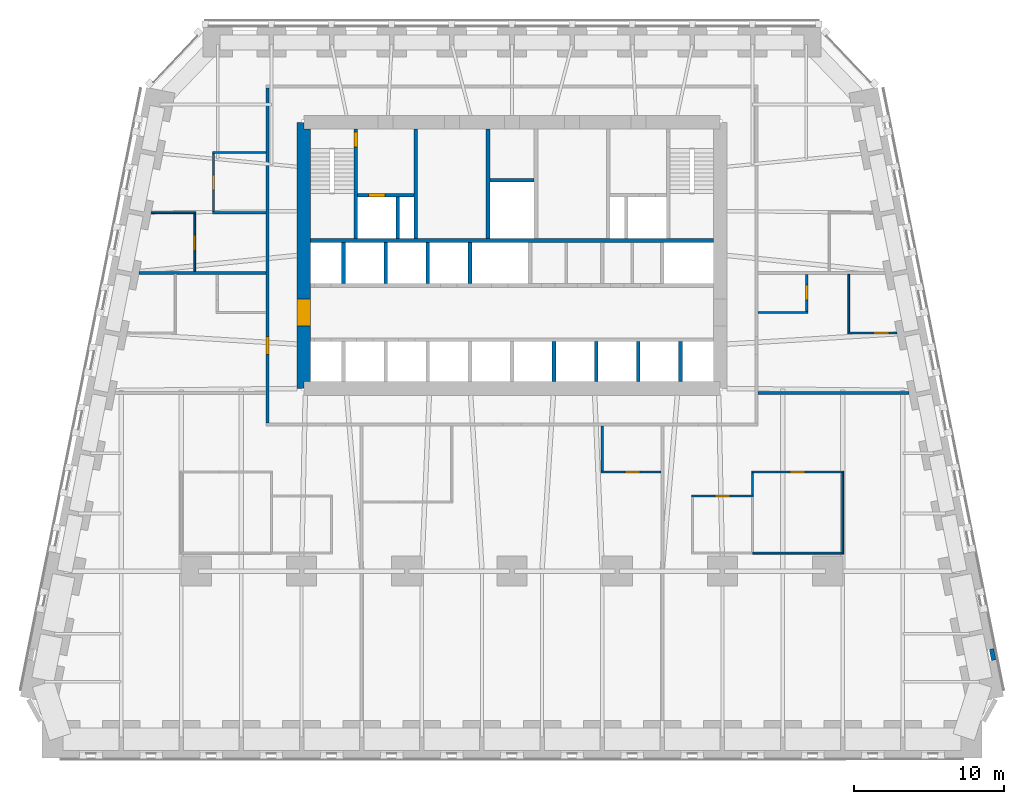
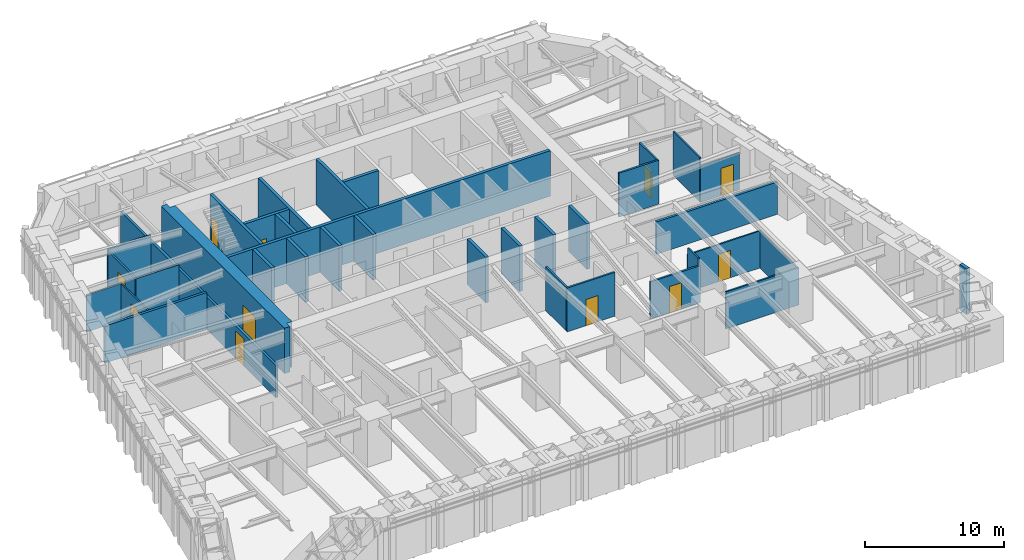
# One storey, part 13 of 16: 36 walls, 11 doors, 11 openings.
"""IFC4 building model written with IfcOpenShell, lengths in metres."""

from ifc_helpers import new_model, si_unit, direction, frame, frame_2d, origin, place, context, subcontext, project, spatial, polyline, rectangle, outline, extrude, material, layer, layer_set, type_object, element, fill, save


model = new_model("IFC4")

# Units and contexts
model_context = context("Model", 3, precision=1e-05, world=origin(), true_north=direction((0.0, 1.0)))
body_context = subcontext(model_context, "Body", "Model", "MODEL_VIEW")
ifc_project = project(units=[si_unit("LENGTHUNIT", "METRE"), si_unit("AREAUNIT", "SQUARE_METRE"), si_unit("VOLUMEUNIT", "CUBIC_METRE"), si_unit("PLANEANGLEUNIT", "RADIAN"), si_unit("MASSUNIT", "GRAM", prefix="KILO")], contexts=[model_context])

# Site, building, storey
site_placement = place(None, origin())
site = spatial("IfcSite", under=ifc_project, at=site_placement, CompositionType="ELEMENT")
building_placement = place(site_placement, origin())
building = spatial("IfcBuilding", under=site, at=building_placement, Name="Isbrekke Arena Tower", CompositionType="ELEMENT")
storey_placement = place(building_placement, frame((0.0, 0.0, 36.0)))
storey = spatial("IfcBuildingStorey", under=building, at=storey_placement, Name="L06", CompositionType="ELEMENT", Elevation=36.0)

# Wall, opening, door
ifc_material_1 = material(Name="Concrete B65 (C65/80)", Category="concrete")
ifc_layer_1 = layer(ifc_material_1, 0.89990234375)
ifc_layer_set_1 = layer_set([ifc_layer_1], Name="CW2 CORE WALL 900")
wall_type_1 = type_object("IfcWallType", Name="CW2 CORE WALL 900", PredefinedType="SHEAR", material=ifc_layer_set_1)
wall_1_placement = place(storey_placement, frame((-13.85009765625, 23.85009765625, 0.0), z_axis=(0.0, 0.0, 1.0), x_axis=(0.0, -1.0, 0.0)))
wall_1 = element("IfcWall", 1, at=wall_1_placement, inside=storey, type_object=wall_type_1, Name="Core wall W L06", PredefinedType="SHEAR", context=body_context, shape_type="SweptSolid", body=[
    extrude(outline(polyline([(0.0, -0.449951171875), (17.7001953125, -0.449951171875), (17.7001953125, 0.0), (17.250244140625, 0.0), (17.250244140625, 0.449951171875), (0.449951171875, 0.449951171875), (0.449951171875, 0.0), (0.0, 0.0), (0.0, -0.449951171875)])), origin(), (0.0, 0.0, 1.0), 4.0),
])
opening_1_placement = place(wall_1_placement, frame((11.75, 0.0, 0.0)))
opening_1 = element("IfcOpeningElement", 2, at=opening_1_placement, cuts=wall_1, Name="Opening D1", PredefinedType="OPENING", context=body_context, shape_type="SweptSolid", body=[
    extrude(rectangle(XDim=1.800048828125, YDim=2.39990234375, at=frame_2d((0.89990234375, 1.199951171875))), frame((0.0, 0.46484375, 0.0), z_axis=(0.0, -1.0, 0.0), x_axis=(1.0, 0.0, 0.0)), (0.0, 0.0, 1.0), 0.9296875),
])
ifc_material_2 = material(Name="Steel-framed glazed fire door", Category="steel")
door_type_1 = type_object("IfcDoorType", Name="D1 CORE LOBBY DOOR 1800 x 2400", OperationType="DOUBLE_DOOR_SINGLE_SWING", PredefinedType="DOOR", material=ifc_material_2)
door_1_placement = place(opening_1_placement, origin())
door_1 = element("IfcDoor", 3, at=door_1_placement, inside=storey, type_object=door_type_1, Name="D1 lift lobby door west L06", OperationType="DOUBLE_DOOR_SINGLE_SWING", OverallHeight=2.39990234375, OverallWidth=1.800048828125, PredefinedType="DOOR", context=body_context, shape_type="SweptSolid", body=[
    extrude(rectangle(XDim=1.800048828125, YDim=2.39990234375, at=frame_2d((0.89990234375, 1.199951171875))), frame((0.0, 0.44970703125, 0.0), z_axis=(0.0, -1.0, 0.0), x_axis=(1.0, 0.0, 0.0)), (0.0, 0.0, 1.0), 0.8994140625),
])
fill(opening_1, door_1)

# Walls
ifc_material_3 = material(Name="Concrete B45 (C45/55)", Category="concrete")
ifc_layer_2 = layer(ifc_material_3, 0.25)
ifc_layer_set_2 = layer_set([ifc_layer_2], Name="CW6 SHAFT WALL 250")
wall_type_2 = type_object("IfcWallType", Name="CW6 SHAFT WALL 250", PredefinedType="SHEAR", material=ifc_layer_set_2)
wall_2_placement = place(storey_placement, frame((-13.39990234375, 16.0, 0.0), z_axis=(0.0, 0.0, 1.0), x_axis=(1.0, 0.0, 0.0)))
element("IfcWall", 4, at=wall_2_placement, inside=storey, type_object=wall_type_2, Name="Core wall NB L06", PredefinedType="SHEAR", context=body_context, shape_type="SweptSolid", body=[
    extrude(rectangle(XDim=26.7998046875, YDim=0.25, at=frame_2d((13.39990234375, 0.0))), origin(), (0.0, 0.0, 1.0), 4.0),
])
for number, where, z_axis, x_axis, name in (
    (5, (2.800048828125, 6.60009765625, 0.0), (0.0, 0.0, 1.0), (0.0, 1.0, 0.0), "Core wall SS06 L06"),
    (6, (5.60009765625, 6.60009765625, 0.0), (0.0, 0.0, 1.0), (0.0, 1.0, 0.0), "Core wall SS07 L06"),
    (7, (8.39990234375, 6.60009765625, 0.0), (0.0, 0.0, 1.0), (0.0, 1.0, 0.0), "Core wall SS08 L06"),
    (8, (11.199951171875, 6.60009765625, 0.0), (0.0, 0.0, 1.0), (0.0, 1.0, 0.0), "Core wall SS09 L06"),
):
    element("IfcWall", number, at=place(storey_placement, frame(where, z_axis=z_axis, x_axis=x_axis)), inside=storey, type_object=wall_type_2, Name=name, PredefinedType="SHEAR", context=body_context, shape_type="SweptSolid", body=[
        extrude(rectangle(XDim=2.6748046875, YDim=0.25, at=frame_2d((1.33740234375, 0.0))), origin(), (0.0, 0.0, 1.0), 4.0),
    ])
for number, where, z_axis, x_axis, name in (
    (9, (-11.199951171875, 13.125, 0.0), (0.0, 0.0, 1.0), (0.0, 1.0, 0.0), "Core wall SN01 L06"),
    (10, (-8.39990234375, 13.125, 0.0), (0.0, 0.0, 1.0), (0.0, 1.0, 0.0), "Core wall SN02 L06"),
    (11, (-5.60009765625, 13.125, 0.0), (0.0, 0.0, 1.0), (0.0, 1.0, 0.0), "Core wall SN03 L06"),
    (12, (-2.800048828125, 13.125, 0.0), (0.0, 0.0, 1.0), (0.0, 1.0, 0.0), "Core wall SN04 L06"),
):
    element("IfcWall", number, at=place(storey_placement, frame(where, z_axis=z_axis, x_axis=x_axis)), inside=storey, type_object=wall_type_2, Name=name, PredefinedType="SHEAR", context=body_context, shape_type="SweptSolid", body=[
        extrude(rectangle(XDim=2.75, YDim=0.25, at=frame_2d((1.375, 0.0))), origin(), (0.0, 0.0, 1.0), 4.0),
    ])

# Wall, opening, door
wall_3_placement = place(storey_placement, frame((-10.39990234375, 16.125, 0.0), z_axis=(0.0, 0.0, 1.0), x_axis=(0.0, 1.0, 0.0)))
wall_3 = element("IfcWall", 13, at=wall_3_placement, inside=storey, type_object=wall_type_2, Name="Core wall NV01 L06", PredefinedType="SHEAR", context=body_context, shape_type="SweptSolid", body=[
    extrude(rectangle(XDim=7.27490234375, YDim=0.25, at=frame_2d((3.637451171875, 0.0))), origin(), (0.0, 0.0, 1.0), 4.0),
])
opening_2_placement = place(wall_3_placement, frame((6.074951171875, 0.0, 0.0)))
opening_2 = element("IfcOpeningElement", 14, at=opening_2_placement, cuts=wall_3, Name="Opening D2", PredefinedType="OPENING", context=body_context, shape_type="SweptSolid", body=[
    extrude(rectangle(XDim=1.0, YDim=2.10009765625, at=frame_2d((0.5, 1.050048828125))), frame((0.0, 0.139892578125, 0.0), z_axis=(0.0, -1.0, 0.0), x_axis=(1.0, 0.0, 0.0)), (0.0, 0.0, 1.0), 0.27978515625),
])
ifc_material_4 = material(Name="Steel fire door", Category="steel")
door_type_2 = type_object("IfcDoorType", Name="D2 STAIR DOOR 1000 x 2100", OperationType="SINGLE_SWING_LEFT", PredefinedType="DOOR", material=ifc_material_4)
door_2_placement = place(opening_2_placement, origin())
door_2 = element("IfcDoor", 15, at=door_2_placement, inside=storey, type_object=door_type_2, Name="D2 stair door ST1 L06", OperationType="SINGLE_SWING_LEFT", OverallHeight=2.10009765625, OverallWidth=1.0, PredefinedType="DOOR", context=body_context, shape_type="SweptSolid", body=[
    extrude(rectangle(XDim=1.0, YDim=2.10009765625, at=frame_2d((0.5, 1.050048828125))), frame((0.0, 0.124755859375, 0.0), z_axis=(0.0, -1.0, 0.0), x_axis=(1.0, 0.0, 0.0)), (0.0, 0.0, 1.0), 0.24951171875),
])
fill(opening_2, door_2)

# Walls
for number, where, z_axis, x_axis, name in (
    (16, (-6.39990234375, 16.125, 0.0), (0.0, 0.0, 1.0), (0.0, 1.0, 0.0), "Core wall NV02 L06"),
    (17, (-1.60009765625, 16.125, 0.0), (0.0, 0.0, 1.0), (0.0, 1.0, 0.0), "Core wall NV03 L06"),
):
    element("IfcWall", number, at=place(storey_placement, frame(where, z_axis=z_axis, x_axis=x_axis)), inside=storey, type_object=wall_type_2, Name=name, PredefinedType="SHEAR", context=body_context, shape_type="SweptSolid", body=[
        extrude(rectangle(XDim=7.27490234375, YDim=0.25, at=frame_2d((3.637451171875, 0.0))), origin(), (0.0, 0.0, 1.0), 4.0),
    ])

# Wall, opening, door
wall_4_placement = place(storey_placement, frame((-10.27490234375, 19.0, 0.0), z_axis=(0.0, 0.0, 1.0), x_axis=(1.0, 0.0, 0.0)))
wall_4 = element("IfcWall", 18, at=wall_4_placement, inside=storey, type_object=wall_type_2, Name="Core wall NFW L06", PredefinedType="SHEAR", context=body_context, shape_type="SweptSolid", body=[
    extrude(rectangle(XDim=3.75, YDim=0.25, at=frame_2d((1.875, 0.0))), origin(), (0.0, 0.0, 1.0), 4.0),
])
opening_3_placement = place(wall_4_placement, frame((0.72509765625, 0.0, 0.0)))
opening_3 = element("IfcOpeningElement", 19, at=opening_3_placement, cuts=wall_4, Name="Opening LD2", PredefinedType="OPENING", context=body_context, shape_type="SweptSolid", body=[
    extrude(rectangle(XDim=1.10009765625, YDim=2.10009765625, at=frame_2d((0.550048828125, 1.050048828125))), frame((0.0, 0.139892578125, 0.0), z_axis=(0.0, -1.0, 0.0), x_axis=(1.0, 0.0, 0.0)), (0.0, 0.0, 1.0), 0.27978515625),
])
ifc_material_5 = material(Name="Stainless steel lift landing door", Category="steel")
door_type_3 = type_object("IfcDoorType", Name="LD2 FIRE-FIGHTING LIFT LANDING DOOR 1100 x 2100", OperationType="SLIDING_TO_RIGHT", PredefinedType="DOOR", material=ifc_material_5)
door_3_placement = place(opening_3_placement, origin())
door_3 = element("IfcDoor", 20, at=door_3_placement, inside=storey, type_object=door_type_3, Name="LD2 lift landing door LF L06", OperationType="SLIDING_TO_RIGHT", OverallHeight=2.10009765625, OverallWidth=1.10009765625, PredefinedType="DOOR", context=body_context, shape_type="SweptSolid", body=[
    extrude(rectangle(XDim=1.10009765625, YDim=2.10009765625, at=frame_2d((0.550048828125, 1.050048828125))), frame((0.0, 0.124755859375, 0.0), z_axis=(0.0, -1.0, 0.0), x_axis=(1.0, 0.0, 0.0)), (0.0, 0.0, 1.0), 0.24951171875),
])
fill(opening_3, door_3)

# Walls
wall_5_placement = place(storey_placement, frame((-7.60009765625, 16.125, 0.0), z_axis=(0.0, 0.0, 1.0), x_axis=(0.0, 1.0, 0.0)))
element("IfcWall", 21, at=wall_5_placement, inside=storey, type_object=wall_type_2, Name="Core wall NFS1 L06", PredefinedType="SHEAR", context=body_context, shape_type="SweptSolid", body=[
    extrude(rectangle(XDim=2.75, YDim=0.25, at=frame_2d((1.375, 0.0))), origin(), (0.0, 0.0, 1.0), 4.0),
])
wall_6_placement = place(storey_placement, frame((-1.47509765625, 20.0, 0.0), z_axis=(0.0, 0.0, 1.0), x_axis=(1.0, 0.0, 0.0)))
element("IfcWall", 22, at=wall_6_placement, inside=storey, type_object=wall_type_2, Name="Core wall NWC L06", PredefinedType="SHEAR", context=body_context, shape_type="SweptSolid", body=[
    extrude(rectangle(XDim=2.9501953125, YDim=0.25, at=frame_2d((1.47509765625, 0.0))), origin(), (0.0, 0.0, 1.0), 4.0),
])
ifc_material_6 = material(Name="Insulated aluminium panel on steel framing", Category="steel")
ifc_layer_3 = layer(ifc_material_6, 0.300048828125)
ifc_layer_set_3 = layer_set([ifc_layer_3], Name="EW4 INSULATED PANEL WALL 300")
wall_type_3 = type_object("IfcWallType", Name="EW4 INSULATED PANEL WALL 300", PredefinedType="SOLIDWALL", material=ifc_layer_set_3)
wall_7_placement = place(storey_placement, frame((32.0380859375, -11.916259765625, 0.0), z_axis=(0.0, 0.0, 1.0), x_axis=(-0.195867092459, 0.980630451338, 0.0)))
element("IfcWall", 23, at=wall_7_placement, inside=storey, type_object=wall_type_3, Name="EW4 closure panel L06-E 1", PredefinedType="SOLIDWALL", context=body_context, shape_type="SweptSolid", body=[
    extrude(rectangle(XDim=0.754150390625, YDim=0.300048828125, at=frame_2d((0.376953125, 0.0))), origin(), (0.0, 0.0, 1.0), 4.0),
])

# Wall, opening, door
ifc_material_7 = material(Name="Gypsum board partition on steel studs", Category="steel")
ifc_layer_4 = layer(ifc_material_7, 0.14990234375)
ifc_layer_set_4 = layer_set([ifc_layer_4], Name="IW1 PARTITION 150")
wall_type_4 = type_object("IfcWallType", Name="IW1 PARTITION 150", PredefinedType="PARTITIONING", material=ifc_layer_set_4)
wall_8_placement = place(storey_placement, frame((11.925048828125, -1.0, 0.0), z_axis=(0.0, 0.0, 1.0), x_axis=(1.0, 0.0, 0.0)))
wall_8 = element("IfcWall", 24, at=wall_8_placement, inside=storey, type_object=wall_type_4, Name="IW1 partition 150 L06", PredefinedType="PARTITIONING", context=body_context, shape_type="SweptSolid", body=[
    extrude(rectangle(XDim=4.135009765625, YDim=0.14990234375, at=frame_2d((2.0673828125, 0.0))), origin(), (0.0, 0.0, 1.0), 3.25),
])
opening_4_placement = place(wall_8_placement, frame((1.574951171875, 0.0, 0.0)))
opening_4 = element("IfcOpeningElement", 25, at=opening_4_placement, cuts=wall_8, Name="Opening D10", PredefinedType="OPENING", context=body_context, shape_type="SweptSolid", body=[
    extrude(rectangle(XDim=1.0, YDim=2.300048828125, at=frame_2d((0.5, 1.14990234375))), frame((0.0, 0.08984375, 0.0), z_axis=(0.0, -1.0, 0.0), x_axis=(1.0, 0.0, 0.0)), (0.0, 0.0, 1.0), 0.1796875),
])
ifc_material_8 = material(Name="Timber door", Category="wood")
door_type_4 = type_object("IfcDoorType", Name="D10 OFFICE DOOR 1000 x 2300", OperationType="SINGLE_SWING_LEFT", PredefinedType="DOOR", material=ifc_material_8)
door_4_placement = place(opening_4_placement, origin())
door_4 = element("IfcDoor", 26, at=door_4_placement, inside=storey, type_object=door_type_4, Name="D10 tea point door L06", OperationType="SINGLE_SWING_LEFT", OverallHeight=2.300048828125, OverallWidth=1.0, PredefinedType="DOOR", context=body_context, shape_type="SweptSolid", body=[
    extrude(rectangle(XDim=1.0, YDim=2.300048828125, at=frame_2d((0.5, 1.14990234375))), frame((0.0, 0.07470703125, 0.0), z_axis=(0.0, -1.0, 0.0), x_axis=(1.0, 0.0, 0.0)), (0.0, 0.0, 1.0), 0.1494140625),
])
fill(opening_4, door_4)

wall_9_placement = place(storey_placement, frame((5.925048828125, 0.60009765625, 0.0), z_axis=(0.0, 0.0, 1.0), x_axis=(1.0, 0.0, 0.0)))
wall_9 = element("IfcWall", 27, at=wall_9_placement, inside=storey, type_object=wall_type_4, Name="IW1 partition 150 L06", PredefinedType="PARTITIONING", context=body_context, shape_type="SweptSolid", body=[
    extrude(rectangle(XDim=3.974853515625, YDim=0.14990234375, at=frame_2d((1.9873046875, 0.0))), origin(), (0.0, 0.0, 1.0), 3.85009765625),
])
opening_5_placement = place(wall_9_placement, frame((1.574951171875, 0.0, 0.0)))
opening_5 = element("IfcOpeningElement", 28, at=opening_5_placement, cuts=wall_9, Name="Opening D10", PredefinedType="OPENING", context=body_context, shape_type="SweptSolid", body=[
    extrude(rectangle(XDim=1.0, YDim=2.300048828125, at=frame_2d((0.5, 1.14990234375))), frame((0.0, 0.08984375, 0.0), z_axis=(0.0, -1.0, 0.0), x_axis=(1.0, 0.0, 0.0)), (0.0, 0.0, 1.0), 0.1796875),
])
door_5_placement = place(opening_5_placement, origin())
door_5 = element("IfcDoor", 29, at=door_5_placement, inside=storey, type_object=door_type_4, Name="D10 tea point door L06", OperationType="SINGLE_SWING_LEFT", OverallHeight=2.300048828125, OverallWidth=1.0, PredefinedType="DOOR", context=body_context, shape_type="SweptSolid", body=[
    extrude(rectangle(XDim=1.0, YDim=2.300048828125, at=frame_2d((0.5, 1.14990234375))), frame((0.0, 0.07470703125, 0.0), z_axis=(0.0, -1.0, 0.0), x_axis=(1.0, 0.0, 0.0)), (0.0, 0.0, 1.0), 0.1494140625),
])
fill(opening_5, door_5)

# Walls
wall_10_placement = place(storey_placement, frame((16.35009765625, 11.199951171875, 0.0), z_axis=(0.0, 0.0, 1.0), x_axis=(1.0, 0.0, 0.0)))
element("IfcWall", 30, at=wall_10_placement, inside=storey, type_object=wall_type_4, Name="IW1 partition 150 L06", PredefinedType="PARTITIONING", context=body_context, shape_type="SweptSolid", body=[
    extrude(rectangle(XDim=3.324951171875, YDim=0.14990234375, at=frame_2d((1.66259765625, 0.0))), origin(), (0.0, 0.0, 1.0), 3.85009765625),
])
wall_11_placement = place(storey_placement, frame((-19.925048828125, 17.840087890625, 0.0), z_axis=(0.0, 0.0, 1.0), x_axis=(1.0, 0.0, 0.0)))
element("IfcWall", 31, at=wall_11_placement, inside=storey, type_object=wall_type_4, Name="IW1 partition 150 L06", PredefinedType="PARTITIONING", context=body_context, shape_type="SweptSolid", body=[
    extrude(rectangle(XDim=3.574951171875, YDim=0.14990234375, at=frame_2d((1.78759765625, 0.0))), origin(), (0.0, 0.0, 1.0), 3.25),
])
wall_12_placement = place(storey_placement, frame((-19.925048828125, 21.840087890625, 0.0), z_axis=(0.0, 0.0, 1.0), x_axis=(1.0, 0.0, 0.0)))
element("IfcWall", 32, at=wall_12_placement, inside=storey, type_object=wall_type_4, Name="IW1 partition 150 L06", PredefinedType="PARTITIONING", context=body_context, shape_type="SweptSolid", body=[
    extrude(rectangle(XDim=3.574951171875, YDim=0.14990234375, at=frame_2d((1.78759765625, 0.0))), origin(), (0.0, 0.0, 1.0), 3.39990234375),
])

# Wall, opening, door
wall_13_placement = place(storey_placement, frame((-19.85009765625, 17.9150390625, 0.0), z_axis=(0.0, 0.0, 1.0), x_axis=(0.0, 1.0, 0.0)))
wall_13 = element("IfcWall", 33, at=wall_13_placement, inside=storey, type_object=wall_type_4, Name="IW1 partition 150 L06", PredefinedType="PARTITIONING", context=body_context, shape_type="SweptSolid", body=[
    extrude(rectangle(XDim=3.849853515625, YDim=0.14990234375, at=frame_2d((1.9248046875, 0.0))), origin(), (0.0, 0.0, 1.0), 3.25),
])
opening_6_placement = place(wall_13_placement, frame((1.425048828125, 0.0, 0.0)))
opening_6 = element("IfcOpeningElement", 34, at=opening_6_placement, cuts=wall_13, Name="Opening D10", PredefinedType="OPENING", context=body_context, shape_type="SweptSolid", body=[
    extrude(rectangle(XDim=1.0, YDim=2.300048828125, at=frame_2d((0.5, 1.14990234375))), frame((0.0, 0.08984375, 0.0), z_axis=(0.0, -1.0, 0.0), x_axis=(1.0, 0.0, 0.0)), (0.0, 0.0, 1.0), 0.1796875),
])
door_6_placement = place(opening_6_placement, origin())
door_6 = element("IfcDoor", 35, at=door_6_placement, inside=storey, type_object=door_type_4, Name="D10 tea point door L06", OperationType="SINGLE_SWING_LEFT", OverallHeight=2.300048828125, OverallWidth=1.0, PredefinedType="DOOR", context=body_context, shape_type="SweptSolid", body=[
    extrude(rectangle(XDim=1.0, YDim=2.300048828125, at=frame_2d((0.5, 1.14990234375))), frame((0.0, 0.07470703125, 0.0), z_axis=(0.0, -1.0, 0.0), x_axis=(1.0, 0.0, 0.0)), (0.0, 0.0, 1.0), 0.1494140625),
])
fill(opening_6, door_6)

# Wall
wall_14_placement = place(storey_placement, frame((6.0, 0.675048828125, 0.0), z_axis=(0.0, 0.0, 1.0), x_axis=(0.0, 1.0, 0.0)))
element("IfcWall", 36, at=wall_14_placement, inside=storey, type_object=wall_type_4, Name="IW1 partition 150 L06", PredefinedType="PARTITIONING", context=body_context, shape_type="SweptSolid", body=[
    extrude(rectangle(XDim=2.974853515625, YDim=0.14990234375, at=frame_2d((1.4873046875, 0.0))), origin(), (0.0, 0.0, 1.0), 3.85009765625),
])

# Wall, opening, door
wall_15_placement = place(storey_placement, frame((19.60009765625, 11.27490234375, 0.0), z_axis=(0.0, 0.0, 1.0), x_axis=(0.0, 1.0, 0.0)))
wall_15 = element("IfcWall", 37, at=wall_15_placement, inside=storey, type_object=wall_type_4, Name="IW1 partition 150 L06", PredefinedType="PARTITIONING", context=body_context, shape_type="SweptSolid", body=[
    extrude(rectangle(XDim=2.465087890625, YDim=0.14990234375, at=frame_2d((1.232421875, 0.0))), origin(), (0.0, 0.0, 1.0), 3.85009765625),
])
opening_7_placement = place(wall_15_placement, frame((0.7451171875, 0.0, 0.0)))
opening_7 = element("IfcOpeningElement", 38, at=opening_7_placement, cuts=wall_15, Name="Opening D10", PredefinedType="OPENING", context=body_context, shape_type="SweptSolid", body=[
    extrude(rectangle(XDim=1.0, YDim=2.300048828125, at=frame_2d((0.5, 1.14990234375))), frame((0.0, 0.08984375, 0.0), z_axis=(0.0, -1.0, 0.0), x_axis=(1.0, 0.0, 0.0)), (0.0, 0.0, 1.0), 0.1796875),
])
door_7_placement = place(opening_7_placement, origin())
door_7 = element("IfcDoor", 39, at=door_7_placement, inside=storey, type_object=door_type_4, Name="D10 tea point door L06", OperationType="SINGLE_SWING_LEFT", OverallHeight=2.300048828125, OverallWidth=1.0, PredefinedType="DOOR", context=body_context, shape_type="SweptSolid", body=[
    extrude(rectangle(XDim=1.0, YDim=2.300048828125, at=frame_2d((0.5, 1.14990234375))), frame((0.0, 0.07470703125, 0.0), z_axis=(0.0, -1.0, 0.0), x_axis=(1.0, 0.0, 0.0)), (0.0, 0.0, 1.0), 0.1494140625),
])
fill(opening_7, door_7)

# Wall
ifc_material_9 = material(Name="Frameless glazed partition, laminated acoustic glass", Category="glass")
ifc_layer_5 = layer(ifc_material_9, 0.1201171875)
ifc_layer_set_5 = layer_set([ifc_layer_5], Name="IW2 GLAZED PARTITION 120")
wall_type_5 = type_object("IfcWallType", Name="IW2 GLAZED PARTITION 120", PredefinedType="PARTITIONING", material=ifc_layer_set_5)
wall_16_placement = place(storey_placement, frame((16.0, -4.800048828125, 0.0), z_axis=(0.0, 0.0, 1.0), x_axis=(1.0, 0.0, 0.0)))
element("IfcWall", 40, at=wall_16_placement, inside=storey, type_object=wall_type_5, Name="IW2 glazed partition 120 L06", PredefinedType="PARTITIONING", context=body_context, shape_type="SweptSolid", body=[
    extrude(rectangle(XDim=6.06005859375, YDim=0.1201171875, at=frame_2d((3.030029296875, 0.0))), origin(), (0.0, 0.0, 1.0), 3.25),
])

# Wall, opening, door
wall_17_placement = place(storey_placement, frame((15.93994140625, 0.60009765625, 0.0), z_axis=(0.0, 0.0, 1.0), x_axis=(1.0, 0.0, 0.0)))
wall_17 = element("IfcWall", 41, at=wall_17_placement, inside=storey, type_object=wall_type_5, Name="IW2 glazed partition 120 L06", PredefinedType="PARTITIONING", context=body_context, shape_type="SweptSolid", body=[
    extrude(rectangle(XDim=6.1201171875, YDim=0.1201171875, at=frame_2d((3.06005859375, 0.0))), origin(), (0.0, 0.0, 1.0), 3.25),
])
opening_8_placement = place(wall_17_placement, frame((2.56005859375, 0.0, 0.0)))
opening_8 = element("IfcOpeningElement", 42, at=opening_8_placement, cuts=wall_17, Name="Opening D11", PredefinedType="OPENING", context=body_context, shape_type="SweptSolid", body=[
    extrude(rectangle(XDim=1.0, YDim=2.39990234375, at=frame_2d((0.5, 1.199951171875))), frame((0.0, 0.074951171875, 0.0), z_axis=(0.0, -1.0, 0.0), x_axis=(1.0, 0.0, 0.0)), (0.0, 0.0, 1.0), 0.14990234375),
])
ifc_material_10 = material(Name="Frameless glazed door", Category="glass")
door_type_5 = type_object("IfcDoorType", Name="D11 GLAZED MEETING ROOM DOOR 1000 x 2400", OperationType="SINGLE_SWING_RIGHT", PredefinedType="DOOR", material=ifc_material_10)
door_8_placement = place(opening_8_placement, origin())
door_8 = element("IfcDoor", 43, at=door_8_placement, inside=storey, type_object=door_type_5, Name="D11 meeting room door L06", OperationType="SINGLE_SWING_RIGHT", OverallHeight=2.39990234375, OverallWidth=1.0, PredefinedType="DOOR", context=body_context, shape_type="SweptSolid", body=[
    extrude(rectangle(XDim=1.0, YDim=2.39990234375, at=frame_2d((0.5, 1.199951171875))), frame((0.0, 0.059814453125, 0.0), z_axis=(0.0, -1.0, 0.0), x_axis=(1.0, 0.0, 0.0)), (0.0, 0.0, 1.0), 0.11962890625),
])
fill(opening_8, door_8)

wall_18_placement = place(storey_placement, frame((22.340087890625, 9.840087890625, 0.0), z_axis=(0.0, 0.0, 1.0), x_axis=(1.0, 0.0, 0.0)))
wall_18 = element("IfcWall", 44, at=wall_18_placement, inside=storey, type_object=wall_type_5, Name="IW2 glazed partition 120 L06", PredefinedType="PARTITIONING", context=body_context, shape_type="SweptSolid", body=[
    extrude(rectangle(XDim=3.25634765625, YDim=0.1201171875, at=frame_2d((1.628173828125, 0.0))), origin(), (0.0, 0.0, 1.0), 3.25),
])
opening_9_placement = place(wall_18_placement, frame((1.718994140625, 0.0, 0.0)))
opening_9 = element("IfcOpeningElement", 45, at=opening_9_placement, cuts=wall_18, Name="Opening D11", PredefinedType="OPENING", context=body_context, shape_type="SweptSolid", body=[
    extrude(rectangle(XDim=1.0, YDim=2.39990234375, at=frame_2d((0.5, 1.199951171875))), frame((0.0, 0.074951171875, 0.0), z_axis=(0.0, -1.0, 0.0), x_axis=(1.0, 0.0, 0.0)), (0.0, 0.0, 1.0), 0.14990234375),
])
door_9_placement = place(opening_9_placement, origin())
door_9 = element("IfcDoor", 46, at=door_9_placement, inside=storey, type_object=door_type_5, Name="D11 meeting room door L06", OperationType="SINGLE_SWING_RIGHT", OverallHeight=2.39990234375, OverallWidth=1.0, PredefinedType="DOOR", context=body_context, shape_type="SweptSolid", body=[
    extrude(rectangle(XDim=1.0, YDim=2.39990234375, at=frame_2d((0.5, 1.199951171875))), frame((0.0, 0.059814453125, 0.0), z_axis=(0.0, -1.0, 0.0), x_axis=(1.0, 0.0, 0.0)), (0.0, 0.0, 1.0), 0.11962890625),
])
fill(opening_9, door_9)

# Wall
wall_19_placement = place(storey_placement, frame((-23.996337890625, 17.840087890625, 0.0), z_axis=(0.0, 0.0, 1.0), x_axis=(1.0, 0.0, 0.0)))
element("IfcWall", 47, at=wall_19_placement, inside=storey, type_object=wall_type_5, Name="IW2 glazed partition 120 L06", PredefinedType="PARTITIONING", context=body_context, shape_type="SweptSolid", body=[
    extrude(rectangle(XDim=2.956298828125, YDim=0.1201171875, at=frame_2d((1.47802734375, 0.0))), origin(), (0.0, 0.0, 1.0), 3.25),
])

# Wall, opening, door
wall_20_placement = place(storey_placement, frame((-21.10009765625, 13.93994140625, 0.0), z_axis=(0.0, 0.0, 1.0), x_axis=(0.0, 1.0, 0.0)))
wall_20 = element("IfcWall", 48, at=wall_20_placement, inside=storey, type_object=wall_type_5, Name="IW2 glazed partition 120 L06", PredefinedType="PARTITIONING", context=body_context, shape_type="SweptSolid", body=[
    extrude(rectangle(XDim=3.840087890625, YDim=0.1201171875, at=frame_2d((1.919921875, 0.0))), origin(), (0.0, 0.0, 1.0), 3.25),
])
opening_10_placement = place(wall_20_placement, frame((1.39990234375, 0.0, 0.0)))
opening_10 = element("IfcOpeningElement", 49, at=opening_10_placement, cuts=wall_20, Name="Opening D11", PredefinedType="OPENING", context=body_context, shape_type="SweptSolid", body=[
    extrude(rectangle(XDim=1.0, YDim=2.39990234375, at=frame_2d((0.5, 1.199951171875))), frame((0.0, 0.074951171875, 0.0), z_axis=(0.0, -1.0, 0.0), x_axis=(1.0, 0.0, 0.0)), (0.0, 0.0, 1.0), 0.14990234375),
])
door_10_placement = place(opening_10_placement, origin())
door_10 = element("IfcDoor", 50, at=door_10_placement, inside=storey, type_object=door_type_5, Name="D11 meeting room door L06", OperationType="SINGLE_SWING_RIGHT", OverallHeight=2.39990234375, OverallWidth=1.0, PredefinedType="DOOR", context=body_context, shape_type="SweptSolid", body=[
    extrude(rectangle(XDim=1.0, YDim=2.39990234375, at=frame_2d((0.5, 1.199951171875))), frame((0.0, 0.059814453125, 0.0), z_axis=(0.0, -1.0, 0.0), x_axis=(1.0, 0.0, 0.0)), (0.0, 0.0, 1.0), 0.11962890625),
])
fill(opening_10, door_10)

# Walls
wall_21_placement = place(storey_placement, frame((16.0, -0.925048828125, 0.0), z_axis=(0.0, 0.0, 1.0), x_axis=(0.0, 1.0, 0.0)))
element("IfcWall", 51, at=wall_21_placement, inside=storey, type_object=wall_type_5, Name="IW2 glazed partition 120 L06", PredefinedType="PARTITIONING", context=body_context, shape_type="SweptSolid", body=[
    extrude(rectangle(XDim=1.465087890625, YDim=0.1201171875, at=frame_2d((0.732421875, 0.0))), origin(), (0.0, 0.0, 1.0), 3.85009765625),
])
wall_22_placement = place(storey_placement, frame((22.0, -4.739990234375, 0.0), z_axis=(0.0, 0.0, 1.0), x_axis=(0.0, 1.0, 0.0)))
element("IfcWall", 52, at=wall_22_placement, inside=storey, type_object=wall_type_5, Name="IW2 glazed partition 120 L06", PredefinedType="PARTITIONING", context=body_context, shape_type="SweptSolid", body=[
    extrude(rectangle(XDim=5.280029296875, YDim=0.1201171875, at=frame_2d((2.64013671875, 0.0))), origin(), (0.0, 0.0, 1.0), 3.25),
])
wall_23_placement = place(storey_placement, frame((22.39990234375, 9.89990234375, 0.0), z_axis=(0.0, 0.0, 1.0), x_axis=(0.0, 1.0, 0.0)))
element("IfcWall", 53, at=wall_23_placement, inside=storey, type_object=wall_type_5, Name="IW2 glazed partition 120 L06", PredefinedType="PARTITIONING", context=body_context, shape_type="SweptSolid", body=[
    extrude(rectangle(XDim=3.840087890625, YDim=0.1201171875, at=frame_2d((1.919921875, 0.0))), origin(), (0.0, 0.0, 1.0), 3.85009765625),
])
ifc_material_11 = material(Name="Gypsum board fire-cell wall on steel studs, two layers each side", Category="steel")
ifc_layer_6 = layer(ifc_material_11, 0.199951171875)
ifc_layer_set_6 = layer_set([ifc_layer_6], Name="IW3 FIRE-CELL WALL 200")
wall_type_6 = type_object("IfcWallType", Name="IW3 FIRE-CELL WALL 200", PredefinedType="PARTITIONING", material=ifc_layer_set_6)
wall_24_placement = place(storey_placement, frame((16.35009765625, 5.840087890625, 0.0), z_axis=(0.0, 0.0, 1.0), x_axis=(1.0, 0.0, 0.0)))
element("IfcWall", 54, at=wall_24_placement, inside=storey, type_object=wall_type_6, Name="IW3 fire-cell wall 200 L06", PredefinedType="PARTITIONING", context=body_context, shape_type="SweptSolid", body=[
    extrude(rectangle(XDim=10.04638671875, YDim=0.199951171875, at=frame_2d((5.023193359375, 0.0))), origin(), (0.0, 0.0, 1.0), 2.842041015625),
])
wall_25_placement = place(storey_placement, frame((-24.79638671875, 13.840087890625, 0.0), z_axis=(0.0, 0.0, 1.0), x_axis=(1.0, 0.0, 0.0)))
element("IfcWall", 55, at=wall_25_placement, inside=storey, type_object=wall_type_6, Name="IW3 fire-cell wall 200 L06", PredefinedType="PARTITIONING", context=body_context, shape_type="SweptSolid", body=[
    extrude(rectangle(XDim=8.4462890625, YDim=0.199951171875, at=frame_2d((4.22314453125, 0.0))), origin(), (0.0, 0.0, 1.0), 3.25),
])

# Wall, opening, door
wall_26_placement = place(storey_placement, frame((-16.25, 3.85009765625, 0.0), z_axis=(0.0, 0.0, 1.0), x_axis=(0.0, 1.0, 0.0)))
wall_26 = element("IfcWall", 56, at=wall_26_placement, inside=storey, type_object=wall_type_6, Name="IW3 fire-cell wall 200 L06", PredefinedType="PARTITIONING", context=body_context, shape_type="SweptSolid", body=[
    extrude(rectangle(XDim=22.2998046875, YDim=0.199951171875, at=frame_2d((11.14990234375, 0.0))), origin(), (0.0, 0.0, 1.0), 2.842041015625),
])
opening_11_placement = place(wall_26_placement, frame((4.550048828125, 0.0, 0.0)))
opening_11 = element("IfcOpeningElement", 57, at=opening_11_placement, cuts=wall_26, Name="Opening D12", PredefinedType="OPENING", context=body_context, shape_type="SweptSolid", body=[
    extrude(rectangle(XDim=1.199951171875, YDim=2.39990234375, at=frame_2d((0.60009765625, 1.199951171875))), frame((0.0, 0.11474609375, 0.0), z_axis=(0.0, -1.0, 0.0), x_axis=(1.0, 0.0, 0.0)), (0.0, 0.0, 1.0), 0.229736328125),
])
ifc_material_12 = material(Name="Timber fire door with vision panel", Category="wood")
door_type_6 = type_object("IfcDoorType", Name="D12 SUITE ENTRANCE DOOR 1200 x 2400", OperationType="SINGLE_SWING_LEFT", PredefinedType="DOOR", material=ifc_material_12)
door_11_placement = place(opening_11_placement, origin())
door_11 = element("IfcDoor", 58, at=door_11_placement, inside=storey, type_object=door_type_6, Name="D12 suite entrance W door L06", OperationType="SINGLE_SWING_LEFT", OverallHeight=2.39990234375, OverallWidth=1.199951171875, PredefinedType="DOOR", context=body_context, shape_type="SweptSolid", body=[
    extrude(rectangle(XDim=1.199951171875, YDim=2.39990234375, at=frame_2d((0.60009765625, 1.199951171875))), frame((0.0, 0.099609375, 0.0), z_axis=(0.0, -1.0, 0.0), x_axis=(1.0, 0.0, 0.0)), (0.0, 0.0, 1.0), 0.199462890625),
])
fill(opening_11, door_11)

save(model, "model.ifc")
